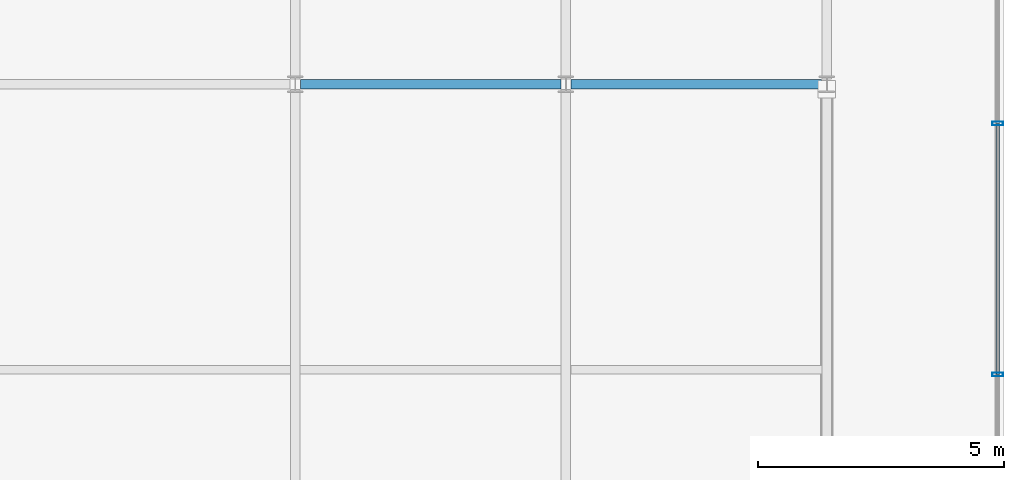
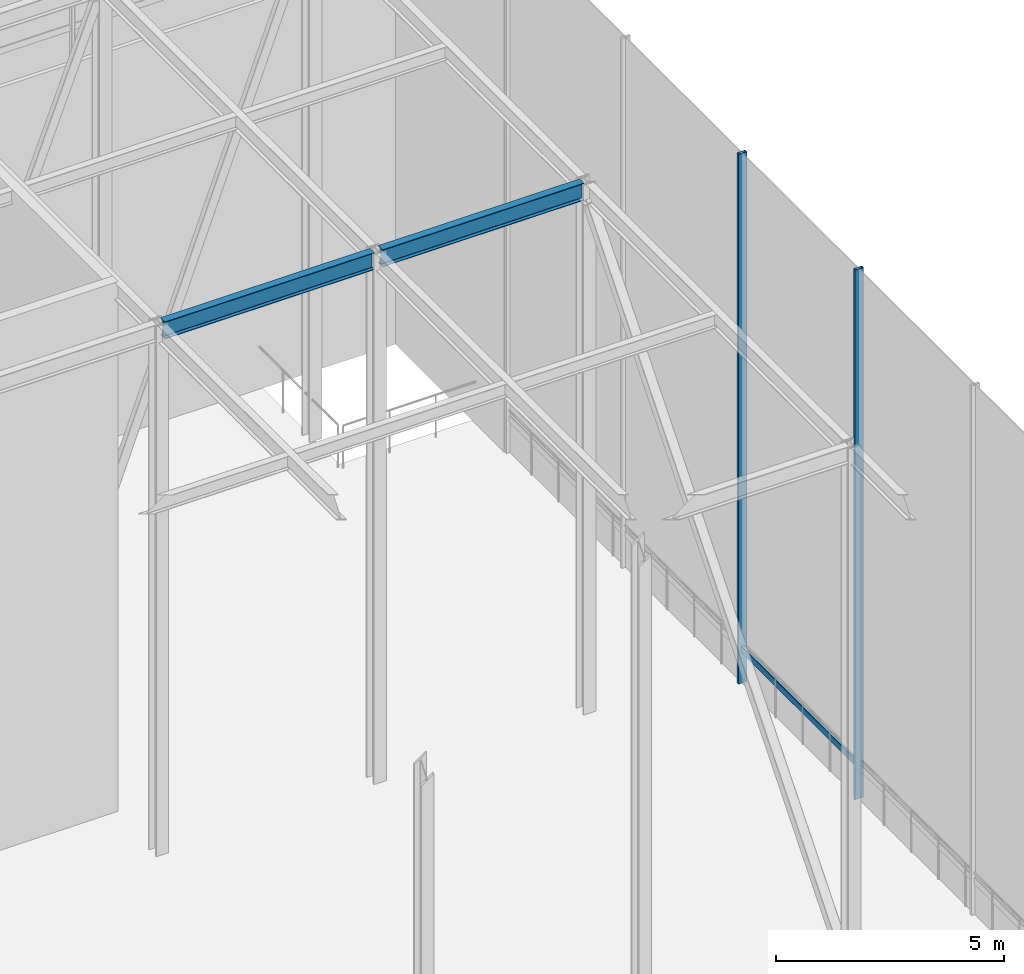
# One storey, part 25 of 42: 3 members, 2 beams, 1 element without a shape of its own.
"""IFC4 building model written with IfcOpenShell, lengths in metres."""

from ifc_helpers import new_model, si_unit, direction, frame, origin, origin_2d, place, context, subcontext, project, spatial, hollow_rectangle, i_section, extrude, material, layer, layer_set, material_profile, profile_set, type_object, element, aggregate, save


model = new_model("IFC4")

# Units and contexts
model_context = context("Model", 3, precision=1e-05, world=origin(), true_north=direction((0.0, 1.0)))
body_context = subcontext(model_context, "Body", "Model", "MODEL_VIEW")
ifc_project = project(units=[si_unit("LENGTHUNIT", "METRE"), si_unit("AREAUNIT", "SQUARE_METRE"), si_unit("VOLUMEUNIT", "CUBIC_METRE"), si_unit("PLANEANGLEUNIT", "RADIAN"), si_unit("MASSUNIT", "GRAM", prefix="KILO")], contexts=[model_context])

# Site, building, storey
site_placement = place(None, origin())
site = spatial("IfcSite", under=ifc_project, at=site_placement, CompositionType="ELEMENT")
building_placement = place(site_placement, origin())
building = spatial("IfcBuilding", under=site, at=building_placement, Name="Korimba Cascade Residences", CompositionType="ELEMENT")
storey_placement = place(building_placement, frame((0.0, 0.0, 207.60009765625)))
storey = spatial("IfcBuildingStorey", under=building, at=storey_placement, Name="L60", CompositionType="ELEMENT", Elevation=207.60009765625)

# Beams
ifc_material_1 = material(Name="Steel S355", Category="steel")
ifc_material_profile_1 = material_profile(ifc_material_1, i_section(OverallWidth=0.19140625, OverallDepth=0.4599609375, WebThickness=0.010009765625, FlangeThickness=0.01611328125, FilletRadius=0.01025390625, at=origin_2d()), Name="Steel S355")
ifc_profile_set_1 = profile_set([ifc_material_profile_1], Name="Steel S355")
beam_type = type_object("IfcBeamType", Name="BM-STL-UB457", PredefinedType="JOIST", material=ifc_profile_set_1)
beam_1_placement = place(storey_placement, frame((118.205078125, 18.39990234375, 13.919921875), z_axis=(1.0, 0.0, 0.0), x_axis=(0.0, 1.0, 0.0)))
element("IfcBeam", 1, at=beam_1_placement, inside=storey, type_object=beam_type, Name="L60 Crown Cap Ring Beam E3.2", PredefinedType="JOIST", context=body_context, shape_type="SweptSolid", body=[
    extrude(i_section(OverallWidth=0.19140625, OverallDepth=0.4599609375, WebThickness=0.010009765625, FlangeThickness=0.01611328125, FilletRadius=0.01025390625, at=origin_2d()), origin(), (0.0, 0.0, 1.0), 5.2900390625),
])
beam_2_placement = place(storey_placement, frame((123.705078125, 18.39990234375, 13.919921875), z_axis=(1.0, 0.0, 0.0), x_axis=(0.0, 1.0, 0.0)))
element("IfcBeam", 2, at=beam_2_placement, inside=storey, type_object=beam_type, Name="L60 Crown Cap Ring Beam E3.3", PredefinedType="JOIST", context=body_context, shape_type="SweptSolid", body=[
    extrude(i_section(OverallWidth=0.19140625, OverallDepth=0.4599609375, WebThickness=0.010009765625, FlangeThickness=0.01611328125, FilletRadius=0.01025390625, at=origin_2d()), origin(), (0.0, 0.0, 1.0), 5.08984375),
])

# Curtain wall, members
ifc_material_2 = material(Name="Anodised Aluminium Curtain Wall Framing", Category="aluminium")
ifc_layer = layer(ifc_material_2, 0.179931640625)
ifc_layer_set = layer_set([ifc_layer], Name="Anodised Aluminium Curtain Wall Framing")
curtain_wall_type = type_object("IfcCurtainWallType", Name="CW-CRNE-SYS6", PredefinedType="NOTDEFINED", material=ifc_layer_set)
curtain_wall_placement = place(storey_placement, origin())
curtain_wall = element("IfcCurtainWall", 3, at=curtain_wall_placement, inside=storey, type_object=curtain_wall_type, Name="L60 Curtain Wall CW-L60-CRN-E-1", PredefinedType="NOTDEFINED")
ifc_material_3 = material(Name="Anodised Aluminium Mullion", Category="aluminium")
ifc_material_profile_2 = material_profile(ifc_material_3, hollow_rectangle(XDim=0.080078125, YDim=0.219970703125, WallThickness=0.00634765625, InnerFilletRadius=0.00634765625, OuterFilletRadius=0.0126953125, at=origin_2d()), Name="Anodised Aluminium Mullion")
ifc_profile_set_2 = profile_set([ifc_material_profile_2], Name="Anodised Aluminium Mullion")
member_type_1 = type_object("IfcMemberType", Name="CWM-MUL-220", PredefinedType="MULLION", material=ifc_profile_set_2)
member_1_placement = place(storey_placement, frame((132.375, 12.5, 0.0), z_axis=(0.0, 0.0, 1.0), x_axis=(0.0, 1.0, 0.0)))
member_1 = element("IfcMember", 4, at=member_1_placement, type_object=member_type_1, Name="CW-L60-CRN-E-1 Mullion 4", PredefinedType="MULLION", context=body_context, shape_type="SweptSolid", body=[
    extrude(hollow_rectangle(XDim=0.080078125, YDim=0.219970703125, WallThickness=0.00634765625, InnerFilletRadius=0.00634765625, OuterFilletRadius=0.0126953125, at=origin_2d()), origin(), (0.0, 0.0, 1.0), 14.14990234375),
])
member_2_placement = place(storey_placement, frame((132.375, 17.60009765625, 0.0), z_axis=(0.0, 0.0, 1.0), x_axis=(0.0, 1.0, 0.0)))
member_2 = element("IfcMember", 5, at=member_2_placement, type_object=member_type_1, Name="CW-L60-CRN-E-1 Mullion 5", PredefinedType="MULLION", context=body_context, shape_type="SweptSolid", body=[
    extrude(hollow_rectangle(XDim=0.080078125, YDim=0.219970703125, WallThickness=0.00634765625, InnerFilletRadius=0.00634765625, OuterFilletRadius=0.0126953125, at=origin_2d()), origin(), (0.0, 0.0, 1.0), 14.14990234375),
])
ifc_material_4 = material(Name="Anodised Aluminium Transom", Category="aluminium")
ifc_material_profile_3 = material_profile(ifc_material_4, hollow_rectangle(XDim=0.070068359375, YDim=0.179931640625, WallThickness=0.0048828125, InnerFilletRadius=0.0048828125, OuterFilletRadius=0.010009765625, at=origin_2d()), Name="Anodised Aluminium Transom")
ifc_profile_set_3 = profile_set([ifc_material_profile_3], Name="Anodised Aluminium Transom")
member_type_2 = type_object("IfcMemberType", Name="CWM-TRN-150", PredefinedType="USERDEFINED", material=ifc_profile_set_3)
member_3_placement = place(storey_placement, frame((132.375, 12.5, 0.89990234375), z_axis=(0.0, 1.0, 0.0), x_axis=(-1.0, 0.0, 0.0)))
member_3 = element("IfcMember", 6, at=member_3_placement, type_object=member_type_2, Name="CW-L60-CRN-E-1 Transom 4", ObjectType="TRANSOM", PredefinedType="USERDEFINED", context=body_context, shape_type="SweptSolid", body=[
    extrude(hollow_rectangle(XDim=0.070068359375, YDim=0.179931640625, WallThickness=0.0048828125, InnerFilletRadius=0.0048828125, OuterFilletRadius=0.010009765625, at=origin_2d()), origin(), (0.0, 0.0, 1.0), 5.10009765625),
])
aggregate(curtain_wall, [member_1, member_2, member_3])

save(model, "model.ifc")
